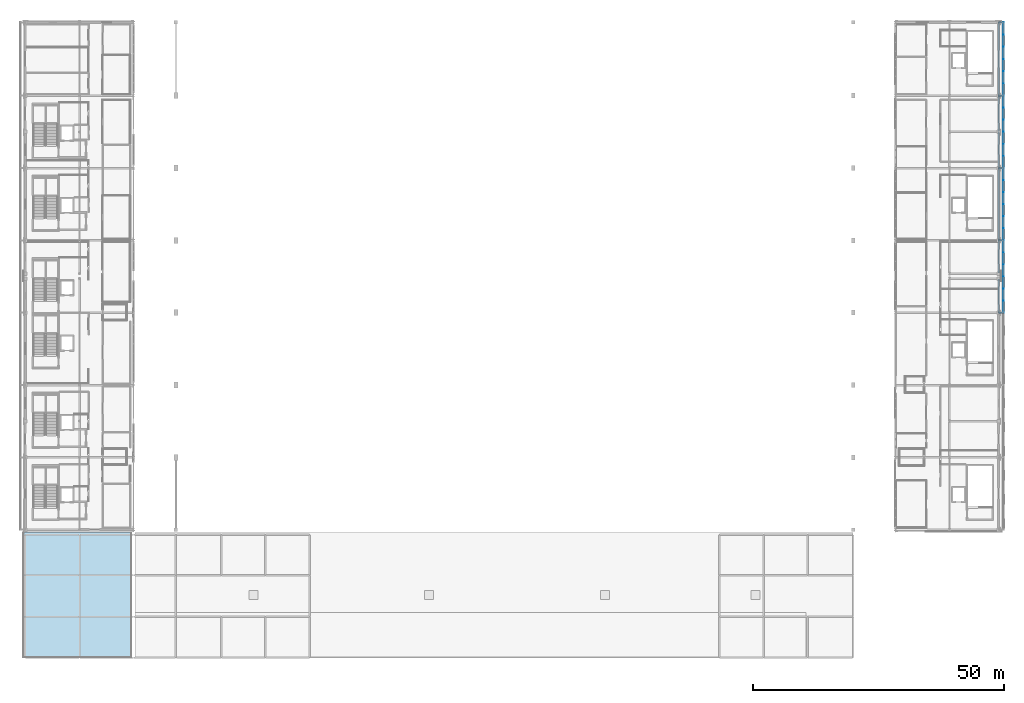
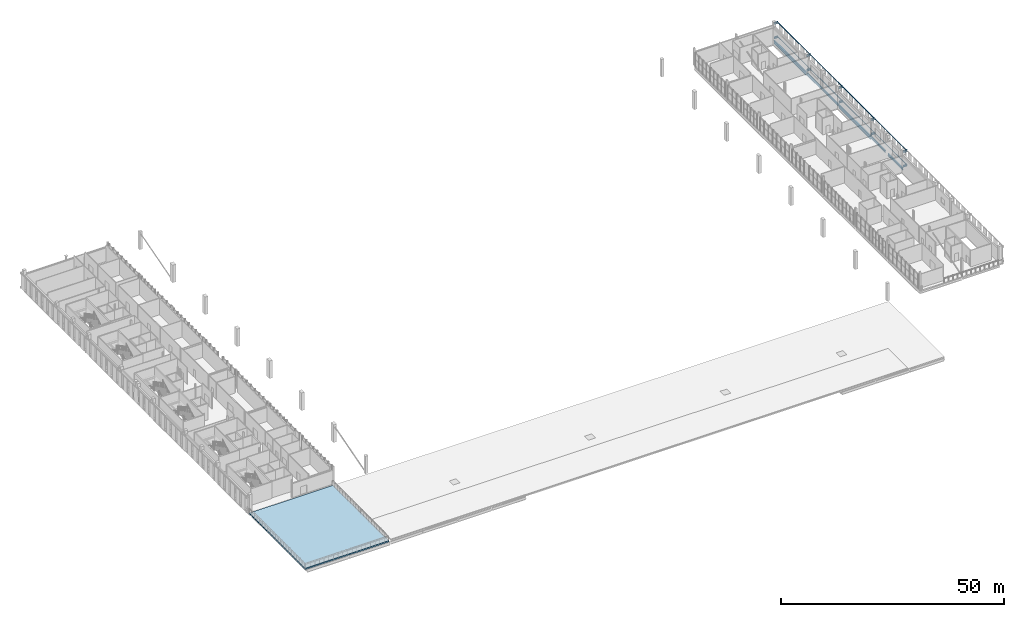
# One storey, part 23 of 51: 16 beams, 8 members, 1 slab.
"""IFC4 building model written with IfcOpenShell, lengths in metres."""

import ifcopenshell
import ifcopenshell.guid

model = None  # the IFC model being written
_history = None  # IfcOwnerHistory: only IFC2X3 demands one
_inside = {}  # id of a spatial element -> (the spatial element, [elements in it])
_under = {}  # id of a project, library or spatial element -> (it, [spatial elements below it])
_declared = {}  # id of a project -> (the project, [libraries it declares])
_typed = {}  # id of a type object -> (the type object, [elements of that type])
_made_of = {}  # id of a material, layer set ... -> (it, [elements and type objects made of it])


def new_model(schema):
    """Start an empty IFC model of exactly this schema.

    Asked for "IFC4X3", IfcOpenShell would pick the latest addendum, in which some entities
    have other attributes; the version numbers below select the first issue.
    IFC2X3 requires an IfcOwnerHistory on every rooted entity: one is made here for all.
    """
    global model, _history
    if schema == "IFC4X3":
        model = ifcopenshell.file(schema_version=(4, 3, 0, 0))
    else:
        model = ifcopenshell.file(schema=schema)
    _inside.clear()
    _under.clear()
    _declared.clear()
    _typed.clear()
    _made_of.clear()
    _history = None
    if model.schema == "IFC2X3":
        org = make("IfcOrganization", Name="unknown")
        user = make(
            "IfcPersonAndOrganization",
            ThePerson=make("IfcPerson", FamilyName="unknown"),
            TheOrganization=org,
        )
        app = make(
            "IfcApplication",
            ApplicationDeveloper=org,
            Version="unknown",
            ApplicationFullName="unknown",
            ApplicationIdentifier="unknown",
        )
        _history = make(
            "IfcOwnerHistory",
            OwningUser=user,
            OwningApplication=app,
            ChangeAction="ADDED",
            CreationDate=0,
        )
    return model


def make(cls, **values):
    """One entity of the class cls with the attributes given. An attribute that is None is left unset."""
    return model.create_entity(
        cls, **{name: value for name, value in values.items() if value is not None}
    )


def rooted(cls, **values):
    """An entity with a GlobalId (a new one), such as an element, a storey or a relation."""
    return make(cls, GlobalId=ifcopenshell.guid.new(), OwnerHistory=_history, **values)


def si_unit(unit_type, name, prefix=None):
    """IfcSIUnit, for example si_unit("LENGTHUNIT", "METRE", prefix="MILLI")."""
    return make("IfcSIUnit", UnitType=unit_type, Prefix=prefix, Name=name)


def assignment(units):
    """IfcUnitAssignment: the units of a project."""
    return None if units is None else make("IfcUnitAssignment", Units=units)


def point(xyz):
    """IfcCartesianPoint."""
    return None if xyz is None else make("IfcCartesianPoint", Coordinates=xyz)


def direction(xyz):
    """IfcDirection."""
    return None if xyz is None else make("IfcDirection", DirectionRatios=xyz)


def frame(location, z_axis=None, x_axis=None):
    """IfcAxis2Placement3D, a coordinate frame: its origin and axes. An axis left out is left unset."""
    return make(
        "IfcAxis2Placement3D",
        Location=point(location),
        Axis=direction(z_axis),
        RefDirection=direction(x_axis),
    )


def frame_2d(location, x_axis=None):
    """IfcAxis2Placement2D, a coordinate frame in the plane: its origin and x axis."""
    return make(
        "IfcAxis2Placement2D", Location=point(location), RefDirection=direction(x_axis)
    )


def origin():
    """The frame at (0, 0, 0) with its axes left unset."""
    return frame((0.0, 0.0, 0.0))


def origin_2d():
    """The frame at (0, 0) in the plane with its x axis left unset."""
    return frame_2d((0.0, 0.0))


def place(relative_to, where):
    """IfcLocalPlacement: puts the frame where relative to a parent placement (None: the world)."""
    return make(
        "IfcLocalPlacement", PlacementRelTo=relative_to, RelativePlacement=where
    )


def context(
    kind, dimensions, precision=None, world=None, true_north=None, identifier=None
):
    """IfcGeometricRepresentationContext, for example the 3D "Model" context."""
    return make(
        "IfcGeometricRepresentationContext",
        ContextIdentifier=identifier,
        ContextType=kind,
        CoordinateSpaceDimension=dimensions,
        Precision=precision,
        WorldCoordinateSystem=world,
        TrueNorth=true_north,
    )


def subcontext(parent, identifier, kind, view, scale=None):
    """IfcGeometricRepresentationSubContext, for example "Body" below "Model"."""
    return make(
        "IfcGeometricRepresentationSubContext",
        ContextIdentifier=identifier,
        ContextType=kind,
        ParentContext=parent,
        TargetScale=scale,
        TargetView=view,
    )


def project(units=None, contexts=None):
    """IfcProject with its units and contexts."""
    return rooted(
        "IfcProject",
        Name="project",
        RepresentationContexts=contexts,
        UnitsInContext=assignment(units),
    )


def spatial(cls, under=None, at=None, **own):
    """A site, building, storey or space (cls), placed at a placement, below another one or the project."""
    s = rooted(cls, ObjectPlacement=at, **own)
    if under is not None:
        _under.setdefault(under.id(), (under, []))[1].append(s)
    return s


def polyline(points):
    """IfcPolyline through the points."""
    return make("IfcPolyline", Points=[point(p) for p in points])


def profile(cls, at=None, kind="AREA", **sizes):
    """A parametric profile (cls). Its sizes go by their IFC names, for example OverallWidth=200.0."""
    return make(cls, ProfileType=kind, Position=at, **sizes)


def hollow_rectangle(**sizes):
    """IfcRectangleHollowProfileDef."""
    return profile("IfcRectangleHollowProfileDef", **sizes)


def i_section(**sizes):
    """IfcIShapeProfileDef."""
    return profile("IfcIShapeProfileDef", **sizes)


def outline(outer, holes=None, kind="AREA"):
    """IfcArbitraryClosedProfileDef: a profile drawn as a closed curve; with holes, ...WithVoids."""
    if holes is None:
        return make("IfcArbitraryClosedProfileDef", ProfileType=kind, OuterCurve=outer)
    return make(
        "IfcArbitraryProfileDefWithVoids",
        ProfileType=kind,
        OuterCurve=outer,
        InnerCurves=holes,
    )


def extrude(swept, where, along, depth):
    """IfcExtrudedAreaSolid: the profile swept, set in the frame where, extruded along a direction by depth."""
    return make(
        "IfcExtrudedAreaSolid",
        SweptArea=swept,
        Position=where,
        ExtrudedDirection=direction(along),
        Depth=depth,
    )


def shape(context_of_items, identifier, shape_type, items):
    """IfcShapeRepresentation: the items that make up one representation, for example the "Body"."""
    return make(
        "IfcShapeRepresentation",
        ContextOfItems=context_of_items,
        RepresentationIdentifier=identifier,
        RepresentationType=shape_type,
        Items=items,
    )


def material(Name=None, Category=None):
    """IfcMaterial."""
    return make("IfcMaterial", Name=Name, Category=Category)


def layer(
    of_material, thickness, ventilated=None, Name=None, Category=None, Priority=None
):
    """IfcMaterialLayer: one layer of a wall or slab, of a material (None: an air gap)."""
    return make(
        "IfcMaterialLayer",
        Material=of_material,
        LayerThickness=thickness,
        IsVentilated=ventilated,
        Name=Name,
        Category=Category,
        Priority=Priority,
    )


def layer_set(layers, Name=None):
    """IfcMaterialLayerSet."""
    return make("IfcMaterialLayerSet", MaterialLayers=layers, LayerSetName=Name)


def material_profile(
    of_material, cross_section, Name=None, Category=None, Priority=None
):
    """IfcMaterialProfile: a cross section and its material."""
    return make(
        "IfcMaterialProfile",
        Name=Name,
        Material=of_material,
        Profile=cross_section,
        Priority=Priority,
        Category=Category,
    )


def profile_set(profiles, Name=None, composite=None):
    """IfcMaterialProfileSet."""
    return make(
        "IfcMaterialProfileSet",
        Name=Name,
        MaterialProfiles=profiles,
        CompositeProfile=composite,
    )


def made_of(thing, what):
    """Note that an element or type object is made of a material, layer set ...; save() writes the relation."""
    if what is not None:
        _made_of.setdefault(what.id(), (what, []))[1].append(thing)
    return thing


def type_object(cls, material=None, **own):
    """A type object (cls), such as IfcWallType, which elements share."""
    return made_of(rooted(cls, **own), material)


def element(
    cls,
    number,
    at=None,
    inside=None,
    cuts=None,
    type_object=None,
    material=None,
    context=None,
    identifier="Body",
    shape_type=None,
    held_by="IfcProductDefinitionShape",
    body=None,
    shapes=None,
    **own,
):
    """One element of the class cls, such as IfcWall. Its Tag is "e" and its number.

    at: its placement. inside: the storey or other place that contains it. cuts: it is an
    opening in that element (IfcRelVoidsElement). A single representation is given by context,
    identifier, shape_type and body (its items); several are given by shapes. held_by: the class
    of the entity that holds the representations. save() writes the other relations.
    """
    e = rooted(cls, Tag="e%d" % number, ObjectPlacement=at, **own)
    if body is not None:
        shapes = [shape(context, identifier, shape_type, body)]
    if shapes is not None:
        e.Representation = make(held_by, Representations=shapes)
    if inside is not None:
        _inside.setdefault(inside.id(), (inside, []))[1].append(e)
    if cuts is not None:
        rooted(
            "IfcRelVoidsElement", RelatingBuildingElement=cuts, RelatedOpeningElement=e
        )
    if type_object is not None:
        _typed.setdefault(type_object.id(), (type_object, []))[1].append(e)
    return made_of(e, material)


def aggregate(whole, parts):
    """IfcRelAggregates: a whole, such as a stair, and the parts it consists of."""
    return rooted("IfcRelAggregates", RelatingObject=whole, RelatedObjects=parts)


def save(model, path):
    """Write the relations noted so far, then the file.

    IfcRelAggregates (storeys below a building ...), IfcRelContainedInSpatialStructure (elements
    in a storey), IfcRelDefinesByType, IfcRelAssociatesMaterial and IfcRelDeclares: one each for
    every whole, place, type object, material and project.
    """
    for whole, parts in _under.values():
        aggregate(whole, parts)
    for where, things in _inside.values():
        rooted(
            "IfcRelContainedInSpatialStructure",
            RelatedElements=things,
            RelatingStructure=where,
        )
    for kind, things in _typed.values():
        rooted("IfcRelDefinesByType", RelatedObjects=things, RelatingType=kind)
    for what, things in _made_of.values():
        rooted("IfcRelAssociatesMaterial", RelatedObjects=things, RelatingMaterial=what)
    for by, libraries in _declared.values():
        rooted("IfcRelDeclares", RelatingContext=by, RelatedDefinitions=libraries)
    model.write(path)


model = new_model("IFC4")

# Units and contexts
model_context = context("Model", 3, precision=1e-05, world=origin(), true_north=direction((0.0, 1.0)))
body_context = subcontext(model_context, "Body", "Model", "MODEL_VIEW")
ifc_project = project(units=[si_unit("LENGTHUNIT", "METRE"), si_unit("AREAUNIT", "SQUARE_METRE"), si_unit("VOLUMEUNIT", "CUBIC_METRE"), si_unit("PLANEANGLEUNIT", "RADIAN"), si_unit("MASSUNIT", "GRAM", prefix="KILO")], contexts=[model_context])

# Site, building, storey
site_placement = place(None, origin())
site = spatial("IfcSite", under=ifc_project, at=site_placement, CompositionType="ELEMENT")
building_placement = place(site_placement, origin())
building = spatial("IfcBuilding", under=site, at=building_placement, Name="Koshinbarg Plaza Stadium", CompositionType="ELEMENT")
storey_placement = place(building_placement, frame((0.0, 0.0, 24.60009765625)))
storey = spatial("IfcBuildingStorey", under=building, at=storey_placement, Name="L05", CompositionType="ELEMENT", Elevation=24.60009765625)

# Beams
ifc_material_1 = material(Name="Steel S355", Category="steel")
ifc_material_profile_1 = material_profile(ifc_material_1, i_section(OverallWidth=0.300048828125, OverallDepth=0.5, WebThickness=0.014404296875, FlangeThickness=0.028076171875, at=origin_2d()), Name="HEB 500")
ifc_profile_set_1 = profile_set([ifc_material_profile_1], Name="Steel S355")
beam_type_1 = type_object("IfcBeamType", Name="BM-CANOPY-CANT", PredefinedType="BEAM", material=ifc_profile_set_1)
for number, where, z_axis, x_axis, name in (
    (1, (218.39990234375, 68.699951171875, 0.25), (1.0, 0.0, 0.0), (0.0, 1.0, 0.0), "Outer screen cantilever outrigger E-L05-Y04"),
    (2, (218.39990234375, 68.699951171875, 4.179931640625), (1.0, 0.0, 0.0), (0.0, 1.0, 0.0), "Outer screen cantilever outrigger E-L05-Y04"),
    (3, (218.39990234375, 83.10009765625, 0.25), (1.0, 0.0, 0.0), (0.0, 1.0, 0.0), "Outer screen cantilever outrigger E-L05-Y05"),
    (4, (218.39990234375, 83.10009765625, 4.179931640625), (1.0, 0.0, 0.0), (0.0, 1.0, 0.0), "Outer screen cantilever outrigger E-L05-Y05"),
    (5, (218.39990234375, 97.5, 0.25), (1.0, 0.0, 0.0), (0.0, 1.0, 0.0), "Outer screen cantilever outrigger E-L05-Y06"),
    (6, (218.39990234375, 97.5, 4.179931640625), (1.0, 0.0, 0.0), (0.0, 1.0, 0.0), "Outer screen cantilever outrigger E-L05-Y06"),
    (7, (218.39990234375, 111.89990234375, 0.25), (1.0, 0.0, 0.0), (0.0, 1.0, 0.0), "Outer screen cantilever outrigger E-L05-Y07"),
    (8, (218.39990234375, 111.89990234375, 4.179931640625), (1.0, 0.0, 0.0), (0.0, 1.0, 0.0), "Outer screen cantilever outrigger E-L05-Y07"),
    (9, (218.39990234375, 126.5, 0.25), (1.0, 0.0, 0.0), (0.0, 1.0, 0.0), "Outer screen cantilever outrigger E-L05-Y08"),
    (10, (218.39990234375, 126.5, 4.179931640625), (1.0, 0.0, 0.0), (0.0, 1.0, 0.0), "Outer screen cantilever outrigger E-L05-Y08"),
):
    element("IfcBeam", number, at=place(storey_placement, frame(where, z_axis=z_axis, x_axis=x_axis)), inside=storey, type_object=beam_type_1, Name=name, PredefinedType="BEAM", context=body_context, shape_type="SweptSolid", body=[
        extrude(i_section(OverallWidth=0.300048828125, OverallDepth=0.5, WebThickness=0.014404296875, FlangeThickness=0.028076171875, at=origin_2d()), origin(), (0.0, 0.0, 1.0), 1.030029296875),
    ])
ifc_material_profile_2 = material_profile(ifc_material_1, i_section(OverallWidth=0.300048828125, OverallDepth=0.5, WebThickness=0.014404296875, FlangeThickness=0.028076171875, at=origin_2d()), Name="HEB 500")
ifc_profile_set_2 = profile_set([ifc_material_profile_2], Name="Steel S355")
beam_type_2 = type_object("IfcBeamType", Name="BM-SGIR-01", PredefinedType="USERDEFINED", material=ifc_profile_set_2)
beam_1_placement = place(storey_placement, frame((218.39990234375, 76.56005859375, -0.550048828125), z_axis=(0.0, 1.0, 0.0), x_axis=(-1.0, 0.0, 0.0)))
element("IfcBeam", 11, at=beam_1_placement, inside=storey, type_object=beam_type_2, Name="L05 Y girder 21/L-M", ObjectType="GIRDER", PredefinedType="USERDEFINED", context=body_context, shape_type="SweptSolid", body=[
    extrude(i_section(OverallWidth=0.300048828125, OverallDepth=0.5, WebThickness=0.014404296875, FlangeThickness=0.028076171875, at=origin_2d()), origin(), (0.0, 0.0, 1.0), 6.47998046875),
])
ifc_material_profile_3 = material_profile(ifc_material_1, i_section(OverallWidth=0.300048828125, OverallDepth=0.60009765625, WebThickness=0.015380859375, FlangeThickness=0.030029296875, at=origin_2d()), Name="HEB 600")
ifc_profile_set_3 = profile_set([ifc_material_profile_3], Name="Steel S355")
beam_type_3 = type_object("IfcBeamType", Name="BM-SGIR-02", PredefinedType="USERDEFINED", material=ifc_profile_set_3)
beam_2_placement = place(storey_placement, frame((218.39990234375, 68.760009765625, -0.60009765625), z_axis=(0.0, 1.0, 0.0), x_axis=(-1.0, 0.0, 0.0)))
element("IfcBeam", 12, at=beam_2_placement, inside=storey, type_object=beam_type_3, Name="L05 Y girder 21/J-K", ObjectType="GIRDER", PredefinedType="USERDEFINED", context=body_context, shape_type="SweptSolid", body=[
    extrude(i_section(OverallWidth=0.300048828125, OverallDepth=0.60009765625, WebThickness=0.015380859375, FlangeThickness=0.030029296875, at=origin_2d()), origin(), (0.0, 0.0, 1.0), 6.679931640625),
])
beam_3_placement = place(storey_placement, frame((218.39990234375, 97.56005859375, -0.60009765625), z_axis=(0.0, 1.0, 0.0), x_axis=(-1.0, 0.0, 0.0)))
element("IfcBeam", 13, at=beam_3_placement, inside=storey, type_object=beam_type_3, Name="L05 Y girder 21/N-P", ObjectType="GIRDER", PredefinedType="USERDEFINED", context=body_context, shape_type="SweptSolid", body=[
    extrude(i_section(OverallWidth=0.300048828125, OverallDepth=0.60009765625, WebThickness=0.015380859375, FlangeThickness=0.030029296875, at=origin_2d()), origin(), (0.0, 0.0, 1.0), 7.079833984375),
])
beam_4_placement = place(storey_placement, frame((218.39990234375, 104.760009765625, -0.60009765625), z_axis=(0.0, 1.0, 0.0), x_axis=(-1.0, 0.0, 0.0)))
element("IfcBeam", 14, at=beam_4_placement, inside=storey, type_object=beam_type_3, Name="L05 Y girder 21/P-Q", ObjectType="GIRDER", PredefinedType="USERDEFINED", context=body_context, shape_type="SweptSolid", body=[
    extrude(i_section(OverallWidth=0.300048828125, OverallDepth=0.60009765625, WebThickness=0.015380859375, FlangeThickness=0.030029296875, at=origin_2d()), origin(), (0.0, 0.0, 1.0), 7.080078125),
])
ifc_material_profile_4 = material_profile(ifc_material_1, i_section(OverallWidth=0.300048828125, OverallDepth=0.89990234375, WebThickness=0.0185546875, FlangeThickness=0.034912109375, at=origin_2d()), Name="HEB 900")
ifc_profile_set_4 = profile_set([ifc_material_profile_4], Name="Steel S355")
beam_type_4 = type_object("IfcBeamType", Name="BM-SGIR-05", PredefinedType="USERDEFINED", material=ifc_profile_set_4)
beam_5_placement = place(storey_placement, frame((218.39990234375, 83.159912109375, -0.75), z_axis=(0.0, 1.0, 0.0), x_axis=(-1.0, 0.0, 0.0)))
element("IfcBeam", 15, at=beam_5_placement, inside=storey, type_object=beam_type_4, Name="L05 Y girder 21/M-N", ObjectType="GIRDER", PredefinedType="USERDEFINED", context=body_context, shape_type="SweptSolid", body=[
    extrude(i_section(OverallWidth=0.300048828125, OverallDepth=0.89990234375, WebThickness=0.0185546875, FlangeThickness=0.034912109375, at=origin_2d()), origin(), (0.0, 0.0, 1.0), 14.280029296875),
])
beam_6_placement = place(storey_placement, frame((218.39990234375, 111.9599609375, -0.75), z_axis=(0.0, 1.0, 0.0), x_axis=(-1.0, 0.0, 0.0)))
element("IfcBeam", 16, at=beam_6_placement, inside=storey, type_object=beam_type_4, Name="L05 Y girder 21/Q-R", ObjectType="GIRDER", PredefinedType="USERDEFINED", context=body_context, shape_type="SweptSolid", body=[
    extrude(i_section(OverallWidth=0.300048828125, OverallDepth=0.89990234375, WebThickness=0.0185546875, FlangeThickness=0.034912109375, at=origin_2d()), origin(), (0.0, 0.0, 1.0), 14.47998046875),
])

# Members
ifc_material_profile_5 = material_profile(ifc_material_1, hollow_rectangle(XDim=0.10009765625, YDim=0.199951171875, WallThickness=0.008056640625, at=origin_2d()), Name="RHS 200x100x8")
ifc_profile_set_5 = profile_set([ifc_material_profile_5], Name="Steel S355")
member_type = type_object("IfcMemberType", Name="MB-PURL-03", PredefinedType="PURLIN", material=ifc_profile_set_5)
for number, where, z_axis, x_axis, name in (
    (17, (219.35009765625, 68.699951171875, 0.25), (0.0, 1.0, 0.0), (-1.0, 0.0, 0.0), "L05 outer screen subframe rail E-4-BOT"),
    (18, (219.35009765625, 68.699951171875, 4.179931640625), (0.0, 1.0, 0.0), (-1.0, 0.0, 0.0), "L05 outer screen subframe rail E-4-TOP"),
):
    element("IfcMember", number, at=place(storey_placement, frame(where, z_axis=z_axis, x_axis=x_axis)), inside=storey, type_object=member_type, Name=name, PredefinedType="PURLIN", context=body_context, shape_type="SweptSolid", body=[
        extrude(hollow_rectangle(XDim=0.10009765625, YDim=0.199951171875, WallThickness=0.008056640625, at=origin_2d()), origin(), (0.0, 0.0, 1.0), 14.400146484375),
    ])
for number, where, z_axis, x_axis, name in (
    (19, (219.35009765625, 83.10009765625, 0.25), (0.0, 1.0, 0.0), (-1.0, 0.0, 0.0), "L05 outer screen subframe rail E-5-BOT"),
    (20, (219.35009765625, 83.10009765625, 4.179931640625), (0.0, 1.0, 0.0), (-1.0, 0.0, 0.0), "L05 outer screen subframe rail E-5-TOP"),
    (21, (219.35009765625, 97.5, 0.25), (0.0, 1.0, 0.0), (-1.0, 0.0, 0.0), "L05 outer screen subframe rail E-6-BOT"),
    (22, (219.35009765625, 97.5, 4.179931640625), (0.0, 1.0, 0.0), (-1.0, 0.0, 0.0), "L05 outer screen subframe rail E-6-TOP"),
):
    element("IfcMember", number, at=place(storey_placement, frame(where, z_axis=z_axis, x_axis=x_axis)), inside=storey, type_object=member_type, Name=name, PredefinedType="PURLIN", context=body_context, shape_type="SweptSolid", body=[
        extrude(hollow_rectangle(XDim=0.10009765625, YDim=0.199951171875, WallThickness=0.008056640625, at=origin_2d()), origin(), (0.0, 0.0, 1.0), 14.39990234375),
    ])
for number, where, z_axis, x_axis, name in (
    (23, (219.35009765625, 111.89990234375, 0.25), (0.0, 1.0, 0.0), (-1.0, 0.0, 0.0), "L05 outer screen subframe rail E-7-BOT"),
    (24, (219.35009765625, 111.89990234375, 4.179931640625), (0.0, 1.0, 0.0), (-1.0, 0.0, 0.0), "L05 outer screen subframe rail E-7-TOP"),
):
    element("IfcMember", number, at=place(storey_placement, frame(where, z_axis=z_axis, x_axis=x_axis)), inside=storey, type_object=member_type, Name=name, PredefinedType="PURLIN", context=body_context, shape_type="SweptSolid", body=[
        extrude(hollow_rectangle(XDim=0.10009765625, YDim=0.199951171875, WallThickness=0.008056640625, at=origin_2d()), origin(), (0.0, 0.0, 1.0), 14.60009765625),
    ])

# Slab
ifc_material_2 = material(Name="Concrete C35/45", Category="concrete")
ifc_layer = layer(ifc_material_2, 0.360107421875)
ifc_layer_set = layer_set([ifc_layer], Name="Concrete C35/45")
slab_type = type_object("IfcSlabType", Name="SL-RGARDEN-360", PredefinedType="ROOF", material=ifc_layer_set)
slab_placement = place(storey_placement, frame((0.0, 0.0, -0.360107421875)))
element("IfcSlab", 25, at=slab_placement, inside=storey, type_object=slab_type, Name="planted roof garden terrace RG-L05-S", PredefinedType="ROOF", context=body_context, shape_type="SweptSolid", body=[
    extrude(outline(polyline([(24.14501953125, 0.0), (45.800048828125, 0.0), (45.800048828125, 24.955078125), (24.14501953125, 24.955078125), (24.14501953125, 0.0)])), origin(), (0.0, 0.0, 1.0), 0.360107421875),
])

save(model, "model.ifc")
